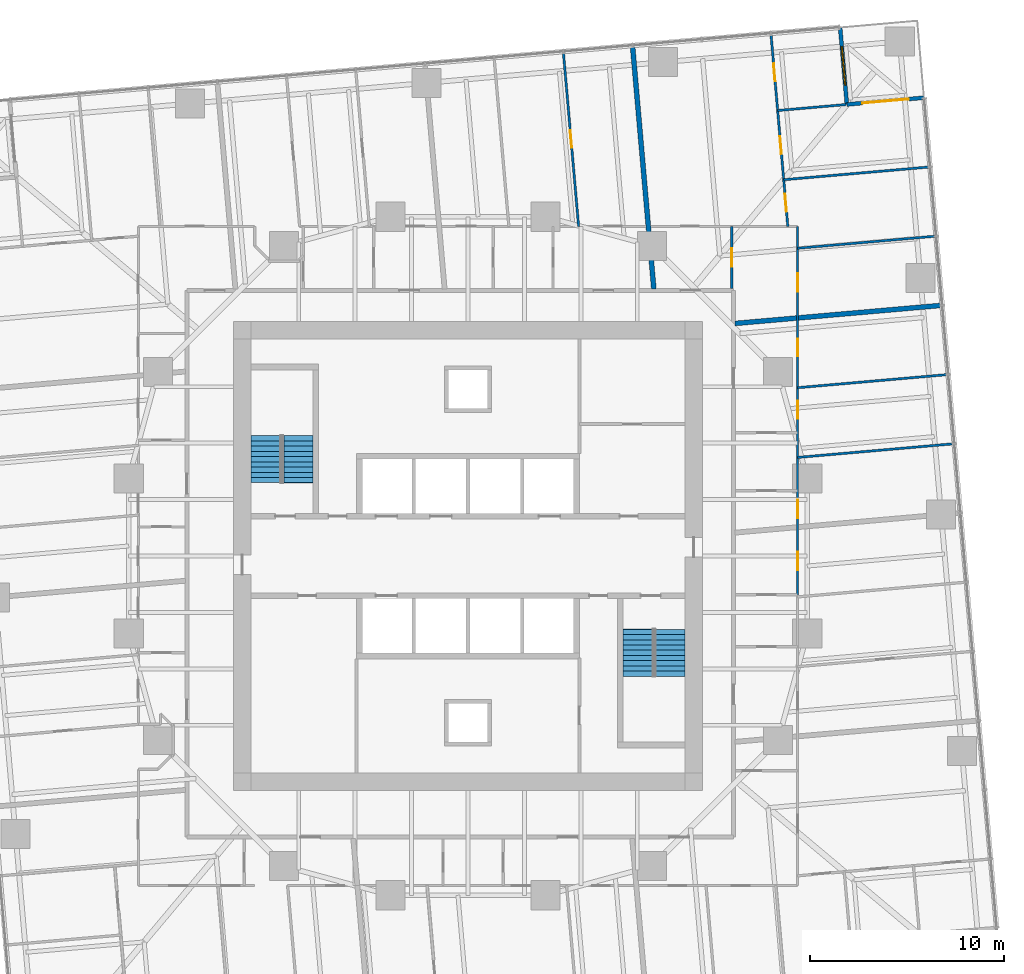
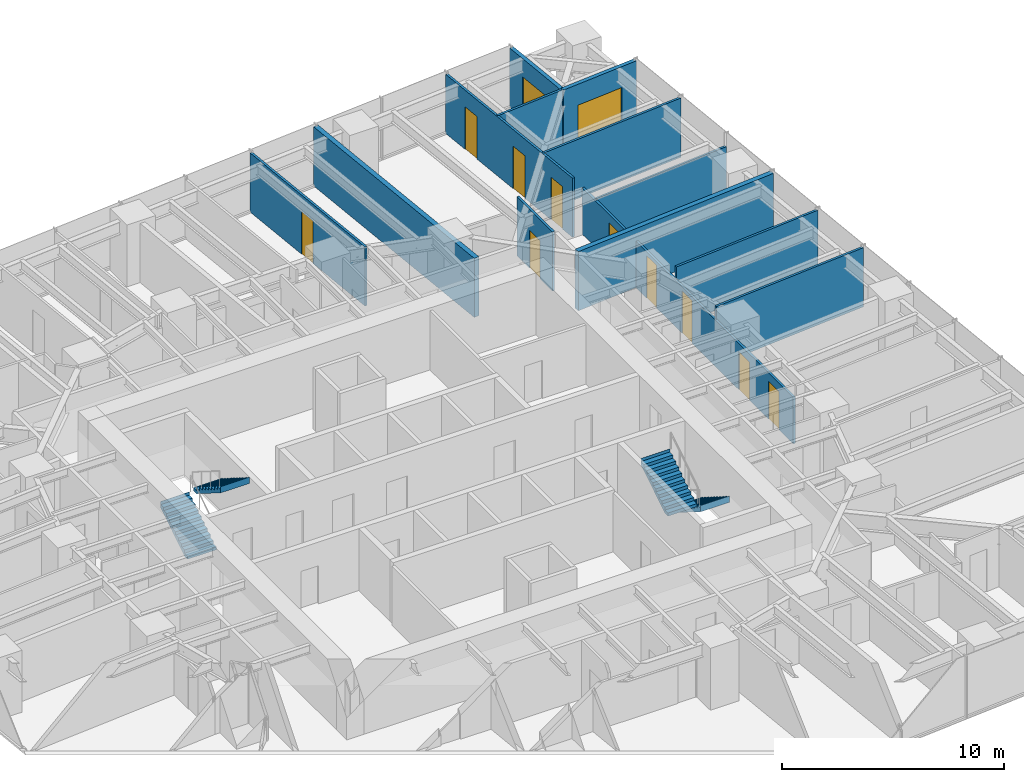
# One storey, part 13 of 14: 13 walls, 11 doors, 4 stair flights, 1 window, 12 openings, 2 elements without a shape of their own.
"""IFC4 building model written with IfcOpenShell, lengths in metres."""

from ifc_helpers import new_model, si_unit, direction, frame, frame_2d, origin, place, context, subcontext, project, spatial, polyline, rectangle, outline, extrude, material, layer, layer_set, type_object, element, fill, aggregate, save


model = new_model("IFC4")

# Units and contexts
model_context = context("Model", 3, precision=1e-05, world=origin(), true_north=direction((0.0, 1.0)))
body_context = subcontext(model_context, "Body", "Model", "MODEL_VIEW")
ifc_project = project(units=[si_unit("LENGTHUNIT", "METRE"), si_unit("AREAUNIT", "SQUARE_METRE"), si_unit("VOLUMEUNIT", "CUBIC_METRE"), si_unit("PLANEANGLEUNIT", "RADIAN"), si_unit("MASSUNIT", "GRAM", prefix="KILO")], contexts=[model_context])

# Site, building, storey
site_placement = place(None, origin())
site = spatial("IfcSite", under=ifc_project, at=site_placement, CompositionType="ELEMENT")
building_placement = place(site_placement, origin())
building = spatial("IfcBuilding", under=site, at=building_placement, Name="Torsade Residences", CompositionType="ELEMENT")
storey_placement = place(building_placement, frame((0.0, 0.0, 54.0)))
storey = spatial("IfcBuildingStorey", under=building, at=storey_placement, Name="L14", CompositionType="ELEMENT", Elevation=54.0)

# Wall, openings, doors
ifc_material_1 = material(Name="Plasterboard on steel stud", Category="steel")
ifc_layer_1 = layer(ifc_material_1, 0.1201171875)
ifc_layer_set_1 = layer_set([ifc_layer_1], Name="Plasterboard on steel stud")
wall_type_1 = type_object("IfcWallType", Name="PARTITION 120", PredefinedType="PARTITIONING", material=ifc_layer_set_1)
wall_1_placement = place(storey_placement, frame((57.0, 47.0, 0.0), z_axis=(0.0, 0.0, 1.0), x_axis=(0.0, -1.0, 0.0)))
wall_1 = element("IfcWall", 1, at=wall_1_placement, inside=storey, type_object=wall_type_1, Name="Partition L14", PredefinedType="PARTITIONING", context=body_context, shape_type="SweptSolid", body=[
    extrude(rectangle(XDim=19.003173828125, YDim=0.1201171875, at=frame_2d((9.50146484375, 0.0))), origin(), (0.0, 0.0, 1.0), 2.550048828125),
])
opening_1_placement = place(wall_1_placement, frame((5.78515625, 0.0, 0.0)))
opening_1 = element("IfcOpeningElement", 2, at=opening_1_placement, cuts=wall_1, Name="Opening D02", PredefinedType="OPENING", context=body_context, shape_type="SweptSolid", body=[
    extrude(rectangle(XDim=0.919921875, YDim=2.340087890625, at=frame_2d((0.4599609375, 1.169921875))), frame((0.0, 0.070068359375, 0.0), z_axis=(0.0, -1.0, 0.0), x_axis=(1.0, 0.0, 0.0)), (0.0, 0.0, 1.0), 0.14013671875),
])
opening_2_placement = place(wall_1_placement, frame((8.993896484375, 0.0, 0.0)))
opening_2 = element("IfcOpeningElement", 3, at=opening_2_placement, cuts=wall_1, Name="Opening D02", PredefinedType="OPENING", context=body_context, shape_type="SweptSolid", body=[
    extrude(rectangle(XDim=0.919921875, YDim=2.340087890625, at=frame_2d((0.4599609375, 1.169921875))), frame((0.0, 0.070068359375, 0.0), z_axis=(0.0, -1.0, 0.0), x_axis=(1.0, 0.0, 0.0)), (0.0, 0.0, 1.0), 0.14013671875),
])
opening_3_placement = place(wall_1_placement, frame((2.41796875, 0.0, 0.0)))
opening_3 = element("IfcOpeningElement", 4, at=opening_3_placement, cuts=wall_1, Name="Opening D05", PredefinedType="OPENING", context=body_context, shape_type="SweptSolid", body=[
    extrude(rectangle(XDim=0.9599609375, YDim=2.10009765625, at=frame_2d((0.47998046875, 1.050048828125))), frame((0.0, 0.070068359375, 0.0), z_axis=(0.0, -1.0, 0.0), x_axis=(1.0, 0.0, 0.0)), (0.0, 0.0, 1.0), 0.14013671875),
])
opening_4_placement = place(wall_1_placement, frame((14.0927734375, 0.0, 0.0)))
opening_4 = element("IfcOpeningElement", 5, at=opening_4_placement, cuts=wall_1, Name="Opening D05", PredefinedType="OPENING", context=body_context, shape_type="SweptSolid", body=[
    extrude(rectangle(XDim=0.9599609375, YDim=2.10009765625, at=frame_2d((0.47998046875, 1.050048828125))), frame((0.0, 0.070068359375, 0.0), z_axis=(0.0, -1.0, 0.0), x_axis=(1.0, 0.0, 0.0)), (0.0, 0.0, 1.0), 0.14013671875),
])
opening_5_placement = place(wall_1_placement, frame((16.77783203125, 0.0, 0.0)))
opening_5 = element("IfcOpeningElement", 6, at=opening_5_placement, cuts=wall_1, Name="Opening D05", PredefinedType="OPENING", context=body_context, shape_type="SweptSolid", body=[
    extrude(rectangle(XDim=0.9599609375, YDim=2.10009765625, at=frame_2d((0.47998046875, 1.050048828125))), frame((0.0, 0.070068359375, 0.0), z_axis=(0.0, -1.0, 0.0), x_axis=(1.0, 0.0, 0.0)), (0.0, 0.0, 1.0), 0.14013671875),
])
ifc_material_2 = material(Name="Hollow-core timber door in a steel cavity frame", Category="steel")
door_type_1 = type_object("IfcDoorType", Name="BATHROOM CAVITY SLIDING DOOR 960", OperationType="SLIDING_TO_LEFT", PredefinedType="DOOR", material=ifc_material_2)
door_1_placement = place(opening_3_placement, origin())
door_1 = element("IfcDoor", 7, at=door_1_placement, inside=storey, type_object=door_type_1, Name="Door Bathroom to Study", OperationType="SLIDING_TO_LEFT", OverallHeight=2.10009765625, OverallWidth=0.9599609375, PredefinedType="DOOR", context=body_context, shape_type="SweptSolid", body=[
    extrude(rectangle(XDim=0.9599609375, YDim=2.10009765625, at=frame_2d((0.47998046875, 1.050048828125))), frame((0.0, 0.02490234375, 0.0), z_axis=(0.0, -1.0, 0.0), x_axis=(1.0, 0.0, 0.0)), (0.0, 0.0, 1.0), 0.050048828125),
])
fill(opening_3, door_1)
door_2_placement = place(opening_4_placement, origin())
door_2 = element("IfcDoor", 8, at=door_2_placement, inside=storey, type_object=door_type_1, Name="Door Ensuite to Living room", OperationType="SLIDING_TO_LEFT", OverallHeight=2.10009765625, OverallWidth=0.9599609375, PredefinedType="DOOR", context=body_context, shape_type="SweptSolid", body=[
    extrude(rectangle(XDim=0.9599609375, YDim=2.10009765625, at=frame_2d((0.47998046875, 1.050048828125))), frame((0.0, 0.02490234375, 0.0), z_axis=(0.0, -1.0, 0.0), x_axis=(1.0, 0.0, 0.0)), (0.0, 0.0, 1.0), 0.050048828125),
])
fill(opening_4, door_2)
door_3_placement = place(opening_5_placement, origin())
door_3 = element("IfcDoor", 9, at=door_3_placement, inside=storey, type_object=door_type_1, Name="Door Bathroom to Bedroom 2", OperationType="SLIDING_TO_LEFT", OverallHeight=2.10009765625, OverallWidth=0.9599609375, PredefinedType="DOOR", context=body_context, shape_type="SweptSolid", body=[
    extrude(rectangle(XDim=0.9599609375, YDim=2.10009765625, at=frame_2d((0.47998046875, 1.050048828125))), frame((0.0, 0.02490234375, 0.0), z_axis=(0.0, -1.0, 0.0), x_axis=(1.0, 0.0, 0.0)), (0.0, 0.0, 1.0), 0.050048828125),
])
fill(opening_5, door_3)
ifc_material_3 = material(Name="Hollow-core timber door", Category="wood")
door_type_2 = type_object("IfcDoorType", Name="INTERNAL DOOR 920x2340", OperationType="NOTDEFINED", PredefinedType="DOOR", material=ifc_material_3)
door_4_placement = place(opening_1_placement, origin())
door_4 = element("IfcDoor", 10, at=door_4_placement, inside=storey, type_object=door_type_2, Name="Door Kitchen and dining to Bedroom 2", OperationType="SINGLE_SWING_LEFT", OverallHeight=2.340087890625, OverallWidth=0.919921875, PredefinedType="DOOR", context=body_context, shape_type="SweptSolid", body=[
    extrude(rectangle(XDim=0.919921875, YDim=2.340087890625, at=frame_2d((0.4599609375, 1.169921875))), frame((0.0, 0.02490234375, 0.0), z_axis=(0.0, -1.0, 0.0), x_axis=(1.0, 0.0, 0.0)), (0.0, 0.0, 1.0), 0.050048828125),
])
fill(opening_1, door_4)
door_5_placement = place(opening_2_placement, origin())
door_5 = element("IfcDoor", 11, at=door_5_placement, inside=storey, type_object=door_type_2, Name="Door Kitchen and dining to Bedroom 1", OperationType="SINGLE_SWING_LEFT", OverallHeight=2.340087890625, OverallWidth=0.919921875, PredefinedType="DOOR", context=body_context, shape_type="SweptSolid", body=[
    extrude(rectangle(XDim=0.919921875, YDim=2.340087890625, at=frame_2d((0.4599609375, 1.169921875))), frame((0.0, 0.02490234375, 0.0), z_axis=(0.0, -1.0, 0.0), x_axis=(1.0, 0.0, 0.0)), (0.0, 0.0, 1.0), 0.050048828125),
])
fill(opening_2, door_5)

# Walls
wall_2_placement = place(storey_placement, frame((57.0, 35.084228515625, 0.0), z_axis=(0.0, 0.0, 1.0), x_axis=(0.99619214338, 0.087184938313, 0.0)))
element("IfcWall", 12, at=wall_2_placement, inside=storey, type_object=wall_type_1, Name="Partition L14", PredefinedType="PARTITIONING", context=body_context, shape_type="SweptSolid", body=[
    extrude(rectangle(XDim=8.08154296875, YDim=0.1201171875, at=frame_2d((4.040771484375, 0.0))), origin(), (0.0, 0.0, 1.0), 3.25),
])
wall_3_placement = place(storey_placement, frame((57.0, 38.681396484375, 0.0), z_axis=(0.0, 0.0, 1.0), x_axis=(0.996195047824, 0.0871517452, 0.0)))
element("IfcWall", 13, at=wall_3_placement, inside=storey, type_object=wall_type_1, Name="Partition L14", PredefinedType="PARTITIONING", context=body_context, shape_type="SweptSolid", body=[
    extrude(rectangle(XDim=7.76806640625, YDim=0.1201171875, at=frame_2d((3.884033203125, 0.0))), origin(), (0.0, 0.0, 1.0), 3.25),
])

# Wall, opening, door
wall_4_placement = place(storey_placement, frame((53.60595703125, 47.0, 0.0), z_axis=(0.0, 0.0, 1.0), x_axis=(0.0, -1.0, 0.0)))
wall_4 = element("IfcWall", 14, at=wall_4_placement, inside=storey, type_object=wall_type_1, Name="Partition L14", PredefinedType="PARTITIONING", context=body_context, shape_type="SweptSolid", body=[
    extrude(rectangle(XDim=3.199951171875, YDim=0.1201171875, at=frame_2d((1.60009765625, 0.0))), origin(), (0.0, 0.0, 1.0), 3.25),
])
opening_6_placement = place(wall_4_placement, frame((1.1201171875, 0.0, 0.0)))
opening_6 = element("IfcOpeningElement", 15, at=opening_6_placement, cuts=wall_4, Name="Opening D05", PredefinedType="OPENING", context=body_context, shape_type="SweptSolid", body=[
    extrude(rectangle(XDim=0.9599609375, YDim=2.10009765625, at=frame_2d((0.47998046875, 1.050048828125))), frame((0.0, 0.070068359375, 0.0), z_axis=(0.0, -1.0, 0.0), x_axis=(1.0, 0.0, 0.0)), (0.0, 0.0, 1.0), 0.14013671875),
])
door_6_placement = place(opening_6_placement, origin())
door_6 = element("IfcDoor", 16, at=door_6_placement, inside=storey, type_object=door_type_1, Name="Door Kitchen and dining to Bathroom", OperationType="SLIDING_TO_LEFT", OverallHeight=2.10009765625, OverallWidth=0.9599609375, PredefinedType="DOOR", context=body_context, shape_type="SweptSolid", body=[
    extrude(rectangle(XDim=0.9599609375, YDim=2.10009765625, at=frame_2d((0.47998046875, 1.050048828125))), frame((0.0, 0.02490234375, 0.0), z_axis=(0.0, -1.0, 0.0), x_axis=(1.0, 0.0, 0.0)), (0.0, 0.0, 1.0), 0.050048828125),
])
fill(opening_6, door_6)

# Wall, openings, doors
wall_5_placement = place(storey_placement, frame((55.62939453125, 56.924560546875, 0.0), z_axis=(0.0, 0.0, 1.0), x_axis=(0.087167862274, -0.996193637696, 0.0)))
wall_5 = element("IfcWall", 17, at=wall_5_placement, inside=storey, type_object=wall_type_1, Name="Partition L14", PredefinedType="PARTITIONING", context=body_context, shape_type="SweptSolid", body=[
    extrude(rectangle(XDim=9.96240234375, YDim=0.1201171875, at=frame_2d((4.981201171875, 0.0))), origin(), (0.0, 0.0, 1.0), 3.25),
])
opening_7_placement = place(wall_5_placement, frame((1.525146484375, 0.0, 0.0)))
opening_7 = element("IfcOpeningElement", 18, at=opening_7_placement, cuts=wall_5, Name="Opening D02", PredefinedType="OPENING", context=body_context, shape_type="SweptSolid", body=[
    extrude(rectangle(XDim=0.919921875, YDim=2.340087890625, at=frame_2d((0.4599609375, 1.169921875))), frame((0.0, 0.070068359375, 0.0), z_axis=(0.0, -1.0, 0.0), x_axis=(1.0, 0.0, 0.0)), (0.0, 0.0, 1.0), 0.14013671875),
])
opening_8_placement = place(wall_5_placement, frame((5.291748046875, 0.0, 0.0)))
opening_8 = element("IfcOpeningElement", 19, at=opening_8_placement, cuts=wall_5, Name="Opening D02", PredefinedType="OPENING", context=body_context, shape_type="SweptSolid", body=[
    extrude(rectangle(XDim=0.919921875, YDim=2.340087890625, at=frame_2d((0.4599609375, 1.169921875))), frame((0.0, 0.070068359375, 0.0), z_axis=(0.0, -1.0, 0.0), x_axis=(1.0, 0.0, 0.0)), (0.0, 0.0, 1.0), 0.14013671875),
])
opening_9_placement = place(wall_5_placement, frame((8.267822265625, 0.0, 0.0)))
opening_9 = element("IfcOpeningElement", 20, at=opening_9_placement, cuts=wall_5, Name="Opening D02", PredefinedType="OPENING", context=body_context, shape_type="SweptSolid", body=[
    extrude(rectangle(XDim=0.919921875, YDim=2.340087890625, at=frame_2d((0.4599609375, 1.169921875))), frame((0.0, 0.070068359375, 0.0), z_axis=(0.0, -1.0, 0.0), x_axis=(1.0, 0.0, 0.0)), (0.0, 0.0, 1.0), 0.14013671875),
])
door_7_placement = place(opening_7_placement, origin())
door_7 = element("IfcDoor", 21, at=door_7_placement, inside=storey, type_object=door_type_2, Name="Door Living room to Family room", OperationType="SINGLE_SWING_RIGHT", OverallHeight=2.340087890625, OverallWidth=0.919921875, PredefinedType="DOOR", context=body_context, shape_type="SweptSolid", body=[
    extrude(rectangle(XDim=0.919921875, YDim=2.340087890625, at=frame_2d((0.4599609375, 1.169921875))), frame((0.0, 0.02490234375, 0.0), z_axis=(0.0, -1.0, 0.0), x_axis=(1.0, 0.0, 0.0)), (0.0, 0.0, 1.0), 0.050048828125),
])
fill(opening_7, door_7)
door_8_placement = place(opening_8_placement, origin())
door_8 = element("IfcDoor", 22, at=door_8_placement, inside=storey, type_object=door_type_2, Name="Door Living room to Bedroom 1", OperationType="SINGLE_SWING_LEFT", OverallHeight=2.340087890625, OverallWidth=0.919921875, PredefinedType="DOOR", context=body_context, shape_type="SweptSolid", body=[
    extrude(rectangle(XDim=0.919921875, YDim=2.340087890625, at=frame_2d((0.4599609375, 1.169921875))), frame((0.0, 0.02490234375, 0.0), z_axis=(0.0, -1.0, 0.0), x_axis=(1.0, 0.0, 0.0)), (0.0, 0.0, 1.0), 0.050048828125),
])
fill(opening_8, door_8)
door_9_placement = place(opening_9_placement, origin())
door_9 = element("IfcDoor", 23, at=door_9_placement, inside=storey, type_object=door_type_2, Name="Door Living room to Bedroom 2", OperationType="SINGLE_SWING_LEFT", OverallHeight=2.340087890625, OverallWidth=0.919921875, PredefinedType="DOOR", context=body_context, shape_type="SweptSolid", body=[
    extrude(rectangle(XDim=0.919921875, YDim=2.340087890625, at=frame_2d((0.4599609375, 1.169921875))), frame((0.0, 0.02490234375, 0.0), z_axis=(0.0, -1.0, 0.0), x_axis=(1.0, 0.0, 0.0)), (0.0, 0.0, 1.0), 0.050048828125),
])
fill(opening_9, door_9)

# Walls
wall_6_placement = place(storey_placement, frame((63.801513671875, 50.0673828125, 0.0), z_axis=(0.0, 0.0, 1.0), x_axis=(-0.99619417419, -0.087161730761, 0.0)))
element("IfcWall", 24, at=wall_6_placement, inside=storey, type_object=wall_type_1, Name="Partition L14", PredefinedType="PARTITIONING", context=body_context, shape_type="SweptSolid", body=[
    extrude(rectangle(XDim=7.543212890625, YDim=0.1201171875, at=frame_2d((3.771484375, 0.0))), origin(), (0.0, 0.0, 1.0), 3.25),
])
wall_7_placement = place(storey_placement, frame((55.974609375, 52.979736328125, 0.0), z_axis=(0.0, 0.0, 1.0), x_axis=(0.996194166221, 0.087161821847, 0.0)))
element("IfcWall", 25, at=wall_7_placement, inside=storey, type_object=wall_type_1, Name="Partition L14", PredefinedType="PARTITIONING", context=body_context, shape_type="SweptSolid", body=[
    extrude(rectangle(XDim=3.543212890625, YDim=0.1201171875, at=frame_2d((1.771484375, 0.0))), origin(), (0.0, 0.0, 1.0), 3.25),
])
wall_8_placement = place(storey_placement, frame((64.11376953125, 46.497802734375, 0.0), z_axis=(0.0, 0.0, 1.0), x_axis=(-0.996195424363, -0.087147441029, 0.0)))
element("IfcWall", 26, at=wall_8_placement, inside=storey, type_object=wall_type_1, Name="Partition L14", PredefinedType="PARTITIONING", context=body_context, shape_type="SweptSolid", body=[
    extrude(rectangle(XDim=7.140869140625, YDim=0.1201171875, at=frame_2d((3.5703125, 0.0))), origin(), (0.0, 0.0, 1.0), 2.637939453125),
])

# Wall, opening, door
wall_9_placement = place(storey_placement, frame((45.706787109375, 47.0, 0.0), z_axis=(0.0, 0.0, 1.0), x_axis=(-0.087160907995, 0.996194246178, 0.0)))
wall_9 = element("IfcWall", 27, at=wall_9_placement, inside=storey, type_object=wall_type_1, Name="Partition L14", PredefinedType="PARTITIONING", context=body_context, shape_type="SweptSolid", body=[
    extrude(rectangle(XDim=9.022216796875, YDim=0.1201171875, at=frame_2d((4.51123046875, 0.0))), origin(), (0.0, 0.0, 1.0), 3.25),
])
opening_10_placement = place(wall_9_placement, frame((4.071044921875, 0.0, 0.0)))
opening_10 = element("IfcOpeningElement", 28, at=opening_10_placement, cuts=wall_9, Name="Opening D02", PredefinedType="OPENING", context=body_context, shape_type="SweptSolid", body=[
    extrude(rectangle(XDim=0.919921875, YDim=2.340087890625, at=frame_2d((0.4599609375, 1.169921875))), frame((0.0, 0.070068359375, 0.0), z_axis=(0.0, -1.0, 0.0), x_axis=(1.0, 0.0, 0.0)), (0.0, 0.0, 1.0), 0.14013671875),
])
door_10_placement = place(opening_10_placement, origin())
door_10 = element("IfcDoor", 29, at=door_10_placement, inside=storey, type_object=door_type_2, Name="Door Living room to Bedroom 1", OperationType="SINGLE_SWING_LEFT", OverallHeight=2.340087890625, OverallWidth=0.919921875, PredefinedType="DOOR", context=body_context, shape_type="SweptSolid", body=[
    extrude(rectangle(XDim=0.919921875, YDim=2.340087890625, at=frame_2d((0.4599609375, 1.169921875))), frame((0.0, 0.02490234375, 0.0), z_axis=(0.0, -1.0, 0.0), x_axis=(1.0, 0.0, 0.0)), (0.0, 0.0, 1.0), 0.050048828125),
])
fill(opening_10, door_10)

# Walls
ifc_material_4 = material(Name="Masonry-lined stud party wall", Category="masonry")
ifc_layer_2 = layer(ifc_material_4, 0.25)
ifc_layer_set_2 = layer_set([ifc_layer_2], Name="Masonry-lined stud party wall")
wall_type_2 = type_object("IfcWallType", Name="PARTY WALL 250", PredefinedType="PARTITIONING", material=ifc_layer_set_2)
wall_10_placement = place(storey_placement, frame((48.486572265625, 56.33984375, 0.0), z_axis=(0.0, 0.0, 1.0), x_axis=(0.087153988028, -0.996194851608, 0.0)))
element("IfcWall", 30, at=wall_10_placement, inside=storey, type_object=wall_type_2, Name="Party wall L14", PredefinedType="PARTITIONING", context=body_context, shape_type="SweptSolid", body=[
    extrude(rectangle(XDim=12.616943359375, YDim=0.25, at=frame_2d((6.30859375, 0.0))), origin(), (0.0, 0.0, 1.0), 3.25),
])
wall_11_placement = place(storey_placement, frame((64.466064453125, 42.931640625, 0.0), z_axis=(0.0, 0.0, 1.0), x_axis=(-0.996193939644, -0.08716441141, 0.0)))
element("IfcWall", 31, at=wall_11_placement, inside=storey, type_object=wall_type_2, Name="Party wall L14", PredefinedType="PARTITIONING", context=body_context, shape_type="SweptSolid", body=[
    extrude(rectangle(XDim=10.73583984375, YDim=0.25, at=frame_2d((5.367919921875, 0.0))), origin(), (0.0, 0.0, 1.0), 3.25),
])

# Wall, opening, door
ifc_material_5 = material(Name="Stone-faced precast concrete 40 MPa panel", Category="masonry")
ifc_layer_3 = layer(ifc_material_5, 0.199951171875)
ifc_layer_set_3 = layer_set([ifc_layer_3], Name="Stone-faced precast concrete 40 MPa panel")
wall_type_3 = type_object("IfcWallType", Name="TERRACE WALL 200", PredefinedType="SOLIDWALL", material=ifc_layer_set_3)
wall_12_placement = place(storey_placement, frame((63.529052734375, 53.640625, 0.0), z_axis=(0.0, 0.0, 1.0), x_axis=(-0.99619418125, -0.087161650072, 0.0)))
wall_12 = element("IfcWall", 32, at=wall_12_placement, inside=storey, type_object=wall_type_3, Name="Terrace wall L14 5", PredefinedType="SOLIDWALL", context=body_context, shape_type="SweptSolid", body=[
    extrude(rectangle(XDim=3.999755859375, YDim=0.199951171875, at=frame_2d((2.0, 0.0))), origin(), (0.0, 0.0, 1.0), 3.25),
])
opening_11_placement = place(wall_12_placement, frame((0.800048828125, 0.0, 0.0)))
opening_11 = element("IfcOpeningElement", 33, at=opening_11_placement, cuts=wall_12, Name="Opening D10A", PredefinedType="OPENING", context=body_context, shape_type="SweptSolid", body=[
    extrude(rectangle(XDim=2.39990234375, YDim=2.10009765625, at=frame_2d((1.199951171875, 1.050048828125))), frame((0.0, 0.10986328125, 0.0), z_axis=(0.0, -1.0, 0.0), x_axis=(1.0, 0.0, 0.0)), (0.0, 0.0, 1.0), 0.219970703125),
])
ifc_material_6 = material(Name="Aluminium-framed glass door", Category="aluminium")
door_type_3 = type_object("IfcDoorType", Name="TERRACE SLIDING DOOR 2400x2100", OperationType="SLIDING_TO_LEFT", PredefinedType="DOOR", material=ifc_material_6)
door_11_placement = place(opening_11_placement, origin())
door_11 = element("IfcDoor", 34, at=door_11_placement, inside=storey, type_object=door_type_3, Name="Terrace door L14 5", OperationType="SLIDING_TO_LEFT", OverallHeight=2.10009765625, OverallWidth=2.39990234375, PredefinedType="DOOR", context=body_context, shape_type="SweptSolid", body=[
    extrude(rectangle(XDim=2.39990234375, YDim=2.10009765625, at=frame_2d((1.199951171875, 1.050048828125))), frame((0.0, 0.02490234375, 0.0), z_axis=(0.0, -1.0, 0.0), x_axis=(1.0, 0.0, 0.0)), (0.0, 0.0, 1.0), 0.050048828125),
])
fill(opening_11, door_11)

# Wall, opening, window
wall_13_placement = place(storey_placement, frame((59.54443359375, 53.2919921875, 0.0), z_axis=(0.0, 0.0, 1.0), x_axis=(-0.087156350505, 0.99619464492, 0.0)))
wall_13 = element("IfcWall", 35, at=wall_13_placement, inside=storey, type_object=wall_type_3, Name="Terrace wall L14 6", PredefinedType="SOLIDWALL", context=body_context, shape_type="SweptSolid", body=[
    extrude(rectangle(XDim=4.0, YDim=0.199951171875, at=frame_2d((2.0, 0.0))), origin(), (0.0, 0.0, 1.0), 3.25),
])
opening_12_placement = place(wall_13_placement, frame((1.0, 0.0, 0.449951171875)))
opening_12 = element("IfcOpeningElement", 36, at=opening_12_placement, cuts=wall_13, Name="Opening W1B", PredefinedType="OPENING", context=body_context, shape_type="SweptSolid", body=[
    extrude(rectangle(XDim=2.0, YDim=1.800048828125, at=frame_2d((1.0, 0.89990234375))), frame((0.0, 0.10986328125, 0.0), z_axis=(0.0, -1.0, 0.0), x_axis=(1.0, 0.0, 0.0)), (0.0, 0.0, 1.0), 0.219970703125),
])
ifc_material_7 = material(Name="Aluminium-framed glass window", Category="aluminium")
window_type = type_object("IfcWindowType", Name="TERRACE WINDOW 2000x1800", PartitioningType="SINGLE_PANEL", PredefinedType="WINDOW", material=ifc_material_7)
window_placement = place(opening_12_placement, origin())
window = element("IfcWindow", 37, at=window_placement, inside=storey, type_object=window_type, Name="Terrace window L14 6", OverallHeight=1.800048828125, OverallWidth=2.0, PartitioningType="SINGLE_PANEL", PredefinedType="WINDOW", context=body_context, shape_type="SweptSolid", body=[
    extrude(rectangle(XDim=2.0, YDim=1.800048828125, at=frame_2d((1.0, 0.89990234375))), frame((0.0, 0.030029296875, 0.0), z_axis=(0.0, -1.0, 0.0), x_axis=(1.0, 0.0, 0.0)), (0.0, 0.0, 1.0), 0.06005859375),
])
fill(opening_12, window)

# Stair, stair flights
ifc_material_8 = material(Name="Precast concrete 40 MPa", Category="concrete")
stair_type = type_object("IfcStairType", Name="HALF-TURN FIRE STAIR 1500x3400", PredefinedType="HALF_TURN_STAIR", material=ifc_material_8)
stair_1_placement = place(storey_placement, origin())
stair_1 = element("IfcStair", 38, at=stair_1_placement, inside=storey, type_object=stair_type, Name="Stair ST1 L14", PredefinedType="HALF_TURN_STAIR")
ifc_material_9 = material(Name="Precast concrete 40 MPa", Category="concrete")
stair_flight_type = type_object("IfcStairFlightType", Name="PRECAST STAIR FLIGHT 1500x1700", PredefinedType="STRAIGHT", material=ifc_material_9)
stair_flight_1_placement = place(storey_placement, frame((29.550048828125, 33.780029296875, 0.0), z_axis=(0.0, 0.0, 1.0), x_axis=(0.0, 1.0, 0.0)))
stair_flight_1 = element("IfcStairFlight", 39, at=stair_flight_1_placement, type_object=stair_flight_type, Name="ST1 flight 1", NumberOfRisers=10, NumberOfTreads=9, PredefinedType="STRAIGHT", RiserHeight=0.17, TreadLength=0.27, context=body_context, shape_type="SweptSolid", body=[
    extrude(outline(polyline([(0.0, 0.0), (0.0, 0.169921875), (0.27001953125, 0.169921875), (0.27001953125, 0.340087890625), (0.5400390625, 0.340087890625), (0.5400390625, 0.510009765625), (0.81005859375, 0.510009765625), (0.81005859375, 0.679931640625), (1.080078125, 0.679931640625), (1.080078125, 0.85009765625), (1.35009765625, 0.85009765625), (1.35009765625, 1.02001953125), (1.6201171875, 1.02001953125), (1.6201171875, 1.18994140625), (1.889892578125, 1.18994140625), (1.889892578125, 1.360107421875), (2.159912109375, 1.360107421875), (2.159912109375, 1.530029296875), (2.429931640625, 1.530029296875), (2.429931640625, 1.699951171875), (2.43994140625, 1.699951171875), (2.43994140625, 1.352783203125), (2.429931640625, 1.352783203125), (0.28125, 0.0), (0.0, 0.0)])), frame((0.0, 0.75, 0.0), z_axis=(0.0, -1.0, 0.0), x_axis=(1.0, 0.0, 0.0)), (0.0, 0.0, 1.0), 1.5),
])
stair_flight_2_placement = place(storey_placement, frame((31.25, 36.2099609375, 1.699951171875), z_axis=(0.0, 0.0, 1.0), x_axis=(0.0, -1.0, 0.0)))
stair_flight_2 = element("IfcStairFlight", 40, at=stair_flight_2_placement, type_object=stair_flight_type, Name="ST1 flight 2", NumberOfRisers=10, NumberOfTreads=9, PredefinedType="STRAIGHT", RiserHeight=0.17, TreadLength=0.27, context=body_context, shape_type="SweptSolid", body=[
    extrude(outline(polyline([(0.0, 0.0), (0.0, 0.169921875), (0.27001953125, 0.169921875), (0.27001953125, 0.340087890625), (0.5400390625, 0.340087890625), (0.5400390625, 0.510009765625), (0.81005859375, 0.510009765625), (0.81005859375, 0.679931640625), (1.080078125, 0.679931640625), (1.080078125, 0.85009765625), (1.35009765625, 0.85009765625), (1.35009765625, 1.02001953125), (1.6201171875, 1.02001953125), (1.6201171875, 1.18994140625), (1.889892578125, 1.18994140625), (1.889892578125, 1.360107421875), (2.159912109375, 1.360107421875), (2.159912109375, 1.530029296875), (2.429931640625, 1.530029296875), (2.429931640625, 1.699951171875), (2.43994140625, 1.699951171875), (2.43994140625, 1.352783203125), (2.429931640625, 1.352783203125), (0.28125, 0.0), (0.0, 0.0)])), frame((0.0, 0.75, 0.0), z_axis=(0.0, -1.0, 0.0), x_axis=(1.0, 0.0, 0.0)), (0.0, 0.0, 1.0), 1.5),
])
aggregate(stair_1, [stair_flight_1, stair_flight_2])

stair_2_placement = place(storey_placement, origin())
stair_2 = element("IfcStair", 41, at=stair_2_placement, inside=storey, type_object=stair_type, Name="Stair ST2 L14", PredefinedType="HALF_TURN_STAIR")
stair_flight_3_placement = place(storey_placement, frame((50.449951171875, 26.219970703125, 0.0), z_axis=(0.0, 0.0, 1.0), x_axis=(0.0, -1.0, 0.0)))
stair_flight_3 = element("IfcStairFlight", 42, at=stair_flight_3_placement, type_object=stair_flight_type, Name="ST2 flight 1", NumberOfRisers=10, NumberOfTreads=9, PredefinedType="STRAIGHT", RiserHeight=0.17, TreadLength=0.27, context=body_context, shape_type="SweptSolid", body=[
    extrude(outline(polyline([(0.0, 0.0), (0.0, 0.169921875), (0.27001953125, 0.169921875), (0.27001953125, 0.340087890625), (0.5400390625, 0.340087890625), (0.5400390625, 0.510009765625), (0.81005859375, 0.510009765625), (0.81005859375, 0.679931640625), (1.080078125, 0.679931640625), (1.080078125, 0.85009765625), (1.35009765625, 0.85009765625), (1.35009765625, 1.02001953125), (1.6201171875, 1.02001953125), (1.6201171875, 1.18994140625), (1.889892578125, 1.18994140625), (1.889892578125, 1.360107421875), (2.159912109375, 1.360107421875), (2.159912109375, 1.530029296875), (2.429931640625, 1.530029296875), (2.429931640625, 1.699951171875), (2.43994140625, 1.699951171875), (2.43994140625, 1.352783203125), (2.429931640625, 1.352783203125), (0.28125, 0.0), (0.0, 0.0)])), frame((0.0, 0.75, 0.0), z_axis=(0.0, -1.0, 0.0), x_axis=(1.0, 0.0, 0.0)), (0.0, 0.0, 1.0), 1.5),
])
stair_flight_4_placement = place(storey_placement, frame((48.75, 23.7900390625, 1.699951171875), z_axis=(0.0, 0.0, 1.0), x_axis=(0.0, 1.0, 0.0)))
stair_flight_4 = element("IfcStairFlight", 43, at=stair_flight_4_placement, type_object=stair_flight_type, Name="ST2 flight 2", NumberOfRisers=10, NumberOfTreads=9, PredefinedType="STRAIGHT", RiserHeight=0.17, TreadLength=0.27, context=body_context, shape_type="SweptSolid", body=[
    extrude(outline(polyline([(0.0, 0.0), (0.0, 0.169921875), (0.27001953125, 0.169921875), (0.27001953125, 0.340087890625), (0.5400390625, 0.340087890625), (0.5400390625, 0.510009765625), (0.81005859375, 0.510009765625), (0.81005859375, 0.679931640625), (1.080078125, 0.679931640625), (1.080078125, 0.85009765625), (1.35009765625, 0.85009765625), (1.35009765625, 1.02001953125), (1.6201171875, 1.02001953125), (1.6201171875, 1.18994140625), (1.889892578125, 1.18994140625), (1.889892578125, 1.360107421875), (2.159912109375, 1.360107421875), (2.159912109375, 1.530029296875), (2.429931640625, 1.530029296875), (2.429931640625, 1.699951171875), (2.43994140625, 1.699951171875), (2.43994140625, 1.352783203125), (2.429931640625, 1.352783203125), (0.28125, 0.0), (0.0, 0.0)])), frame((0.0, 0.75, 0.0), z_axis=(0.0, -1.0, 0.0), x_axis=(1.0, 0.0, 0.0)), (0.0, 0.0, 1.0), 1.5),
])
aggregate(stair_2, [stair_flight_3, stair_flight_4])

save(model, "model.ifc")
